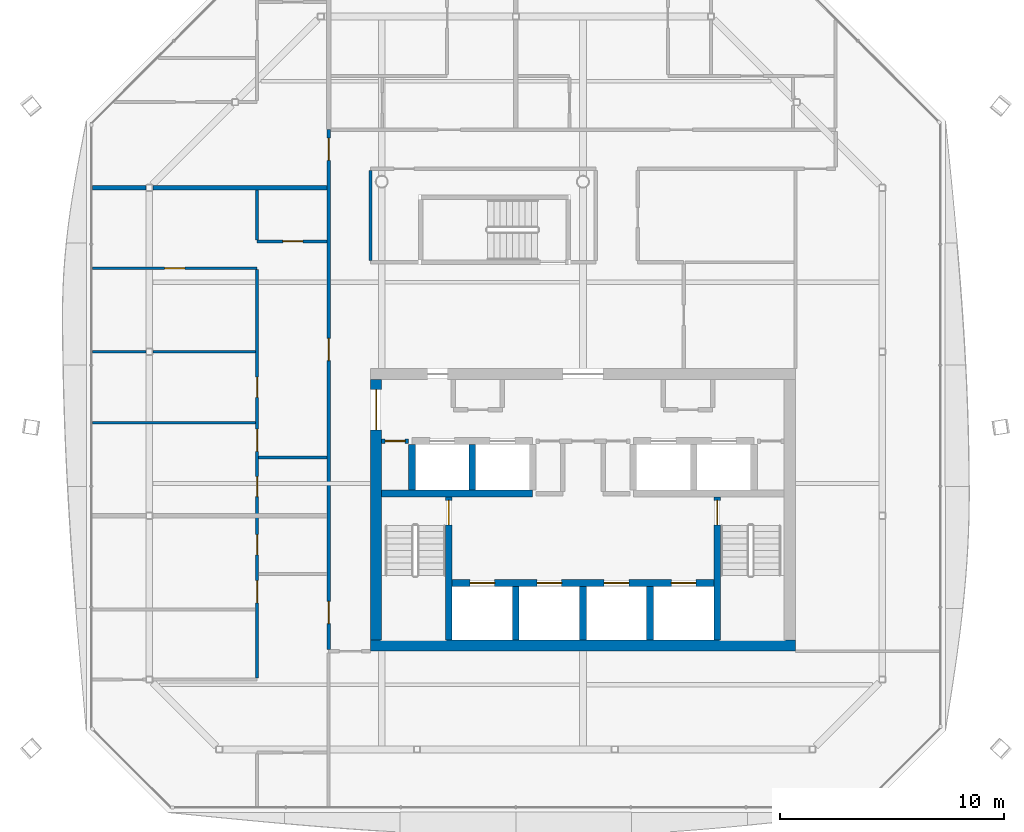
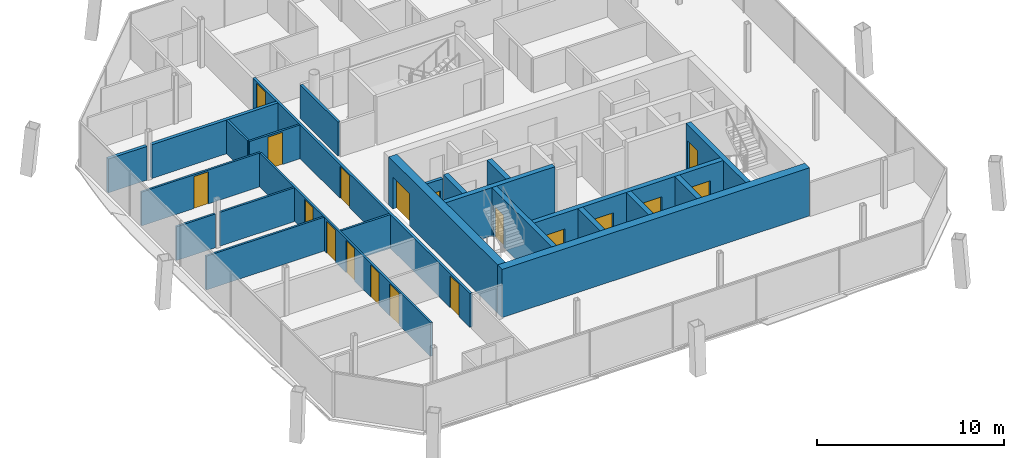
# One storey, part 12 of 18: 24 walls, 18 doors, 18 openings.
"""IFC4 building model written with IfcOpenShell, lengths in metres."""

from ifc_helpers import new_model, si_unit, direction, frame, frame_2d, origin, place, context, subcontext, project, spatial, rectangle, extrude, material, layer, layer_set, type_object, element, fill, save


model = new_model("IFC4")

# Units and contexts
model_context = context("Model", 3, precision=1e-05, world=origin(), true_north=direction((0.0, 1.0)))
body_context = subcontext(model_context, "Body", "Model", "MODEL_VIEW")
ifc_project = project(units=[si_unit("LENGTHUNIT", "METRE"), si_unit("AREAUNIT", "SQUARE_METRE"), si_unit("VOLUMEUNIT", "CUBIC_METRE"), si_unit("PLANEANGLEUNIT", "RADIAN"), si_unit("MASSUNIT", "GRAM", prefix="KILO")], contexts=[model_context])

# Site, building, storey
site_placement = place(None, origin())
site = spatial("IfcSite", under=ifc_project, at=site_placement, CompositionType="ELEMENT")
building_placement = place(site_placement, origin())
building = spatial("IfcBuilding", under=site, at=building_placement, Name="Tskaro Facet Tower", CompositionType="ELEMENT")
storey_placement = place(building_placement, frame((0.0, 0.0, 223.5)))
storey = spatial("IfcBuildingStorey", under=building, at=storey_placement, Name="L57", CompositionType="ELEMENT", Elevation=223.5)

# Wall, openings, doors
ifc_material_1 = material(Name="Concrete C60/75", Category="concrete")
ifc_layer_1 = layer(ifc_material_1, 0.300048828125, Name="Concrete C60/75")
ifc_layer_set_1 = layer_set([ifc_layer_1], Name="Concrete C60/75")
wall_type_1 = type_object("IfcWallType", Name="CORE-SHAFT", PredefinedType="SHEAR", material=ifc_layer_set_1)
wall_1_placement = place(storey_placement, frame((-5.85009765625, -8.949951171875, 0.0), z_axis=(0.0, 0.0, 1.0), x_axis=(1.0, 0.0, 0.0)))
wall_1 = element("IfcWall", 1, at=wall_1_placement, inside=storey, type_object=wall_type_1, Name="Shaft wall W007", PredefinedType="SHEAR", context=body_context, shape_type="SweptSolid", body=[
    extrude(rectangle(XDim=11.7001953125, YDim=0.300048828125, at=frame_2d((5.85009765625, 0.0))), origin(), (0.0, 0.0, 1.0), 3.14990234375),
])
opening_1_placement = place(wall_1_placement, frame((0.800048828125, 0.0, 0.0)))
opening_1 = element("IfcOpeningElement", 2, at=opening_1_placement, cuts=wall_1, Name="Opening LD-FF1", PredefinedType="OPENING", context=body_context, shape_type="SweptSolid", body=[
    extrude(rectangle(XDim=1.10009765625, YDim=2.10009765625, at=frame_2d((0.550048828125, 1.050048828125))), frame((0.0, 0.159912109375, 0.0), z_axis=(0.0, -1.0, 0.0), x_axis=(1.0, 0.0, 0.0)), (0.0, 0.0, 1.0), 0.320068359375),
])
opening_2_placement = place(wall_1_placement, frame((3.800048828125, 0.0, 0.0)))
opening_2 = element("IfcOpeningElement", 3, at=opening_2_placement, cuts=wall_1, Name="Opening LD-FF2", PredefinedType="OPENING", context=body_context, shape_type="SweptSolid", body=[
    extrude(rectangle(XDim=1.10009765625, YDim=2.10009765625, at=frame_2d((0.550048828125, 1.050048828125))), frame((0.0, 0.159912109375, 0.0), z_axis=(0.0, -1.0, 0.0), x_axis=(1.0, 0.0, 0.0)), (0.0, 0.0, 1.0), 0.320068359375),
])
opening_3_placement = place(wall_1_placement, frame((6.800048828125, 0.0, 0.0)))
opening_3 = element("IfcOpeningElement", 4, at=opening_3_placement, cuts=wall_1, Name="Opening LD-SV1", PredefinedType="OPENING", context=body_context, shape_type="SweptSolid", body=[
    extrude(rectangle(XDim=1.10009765625, YDim=2.10009765625, at=frame_2d((0.550048828125, 1.050048828125))), frame((0.0, 0.159912109375, 0.0), z_axis=(0.0, -1.0, 0.0), x_axis=(1.0, 0.0, 0.0)), (0.0, 0.0, 1.0), 0.320068359375),
])
opening_4_placement = place(wall_1_placement, frame((9.800048828125, 0.0, 0.0)))
opening_4 = element("IfcOpeningElement", 5, at=opening_4_placement, cuts=wall_1, Name="Opening LD-SV2", PredefinedType="OPENING", context=body_context, shape_type="SweptSolid", body=[
    extrude(rectangle(XDim=1.10009765625, YDim=2.10009765625, at=frame_2d((0.550048828125, 1.050048828125))), frame((0.0, 0.159912109375, 0.0), z_axis=(0.0, -1.0, 0.0), x_axis=(1.0, 0.0, 0.0)), (0.0, 0.0, 1.0), 0.320068359375),
])
ifc_material_2 = material(Name="Stainless steel", Category="steel")
door_type_1 = type_object("IfcDoorType", Name="D-LANDING", OperationType="NOTDEFINED", PredefinedType="DOOR", material=ifc_material_2)
door_1_placement = place(opening_1_placement, origin())
door_1 = element("IfcDoor", 6, at=door_1_placement, inside=storey, type_object=door_type_1, Name="Landing door FF1", OperationType="DOUBLE_DOOR_SLIDING", OverallHeight=2.10009765625, OverallWidth=1.10009765625, PredefinedType="DOOR", context=body_context, shape_type="SweptSolid", body=[
    extrude(rectangle(XDim=1.10009765625, YDim=2.10009765625, at=frame_2d((0.550048828125, 1.050048828125))), frame((0.0, 0.02490234375, 0.0), z_axis=(0.0, -1.0, 0.0), x_axis=(1.0, 0.0, 0.0)), (0.0, 0.0, 1.0), 0.050048828125),
])
fill(opening_1, door_1)
door_2_placement = place(opening_2_placement, origin())
door_2 = element("IfcDoor", 7, at=door_2_placement, inside=storey, type_object=door_type_1, Name="Landing door FF2", OperationType="DOUBLE_DOOR_SLIDING", OverallHeight=2.10009765625, OverallWidth=1.10009765625, PredefinedType="DOOR", context=body_context, shape_type="SweptSolid", body=[
    extrude(rectangle(XDim=1.10009765625, YDim=2.10009765625, at=frame_2d((0.550048828125, 1.050048828125))), frame((0.0, 0.02490234375, 0.0), z_axis=(0.0, -1.0, 0.0), x_axis=(1.0, 0.0, 0.0)), (0.0, 0.0, 1.0), 0.050048828125),
])
fill(opening_2, door_2)
door_3_placement = place(opening_3_placement, origin())
door_3 = element("IfcDoor", 8, at=door_3_placement, inside=storey, type_object=door_type_1, Name="Landing door SV1", OperationType="DOUBLE_DOOR_SLIDING", OverallHeight=2.10009765625, OverallWidth=1.10009765625, PredefinedType="DOOR", context=body_context, shape_type="SweptSolid", body=[
    extrude(rectangle(XDim=1.10009765625, YDim=2.10009765625, at=frame_2d((0.550048828125, 1.050048828125))), frame((0.0, 0.02490234375, 0.0), z_axis=(0.0, -1.0, 0.0), x_axis=(1.0, 0.0, 0.0)), (0.0, 0.0, 1.0), 0.050048828125),
])
fill(opening_3, door_3)
door_4_placement = place(opening_4_placement, origin())
door_4 = element("IfcDoor", 9, at=door_4_placement, inside=storey, type_object=door_type_1, Name="Landing door SV2", OperationType="DOUBLE_DOOR_SLIDING", OverallHeight=2.10009765625, OverallWidth=1.10009765625, PredefinedType="DOOR", context=body_context, shape_type="SweptSolid", body=[
    extrude(rectangle(XDim=1.10009765625, YDim=2.10009765625, at=frame_2d((0.550048828125, 1.050048828125))), frame((0.0, 0.02490234375, 0.0), z_axis=(0.0, -1.0, 0.0), x_axis=(1.0, 0.0, 0.0)), (0.0, 0.0, 1.0), 0.050048828125),
])
fill(opening_4, door_4)

# Walls
wall_2_placement = place(storey_placement, frame((-9.0, -4.949951171875, 0.0), z_axis=(0.0, 0.0, 1.0), x_axis=(1.0, 0.0, 0.0)))
element("IfcWall", 10, at=wall_2_placement, inside=storey, type_object=wall_type_1, Name="Shaft wall W011", PredefinedType="SHEAR", context=body_context, shape_type="SweptSolid", body=[
    extrude(rectangle(XDim=6.75, YDim=0.300048828125, at=frame_2d((3.375, 0.0))), origin(), (0.0, 0.0, 1.0), 3.14990234375),
])
wall_3_placement = place(storey_placement, frame((-7.64990234375, -4.800048828125, 0.0), z_axis=(0.0, 0.0, 1.0), x_axis=(0.0, 1.0, 0.0)))
element("IfcWall", 11, at=wall_3_placement, inside=storey, type_object=wall_type_1, Name="Shaft wall W055", PredefinedType="SHEAR", context=body_context, shape_type="SweptSolid", body=[
    extrude(rectangle(XDim=2.050048828125, YDim=0.300048828125, at=frame_2d((1.02490234375, 0.0))), origin(), (0.0, 0.0, 1.0), 3.14990234375),
])

# Wall, opening, door
wall_4_placement = place(storey_placement, frame((-6.0, -11.5, 0.0), z_axis=(0.0, 0.0, 1.0), x_axis=(0.0, 1.0, 0.0)))
wall_4 = element("IfcWall", 12, at=wall_4_placement, inside=storey, type_object=wall_type_1, Name="Shaft wall W058", PredefinedType="SHEAR", context=body_context, shape_type="SweptSolid", body=[
    extrude(rectangle(XDim=6.39990234375, YDim=0.300048828125, at=frame_2d((3.199951171875, 0.0))), origin(), (0.0, 0.0, 1.0), 3.14990234375),
])
opening_5_placement = place(wall_4_placement, frame((5.14990234375, 0.0, 0.0)))
opening_5 = element("IfcOpeningElement", 13, at=opening_5_placement, cuts=wall_4, Name="Opening ST-1-D1", PredefinedType="OPENING", context=body_context, shape_type="SweptSolid", body=[
    extrude(rectangle(XDim=1.10009765625, YDim=2.10009765625, at=frame_2d((0.550048828125, 1.050048828125))), frame((0.0, 0.159912109375, 0.0), z_axis=(0.0, -1.0, 0.0), x_axis=(1.0, 0.0, 0.0)), (0.0, 0.0, 1.0), 0.320068359375),
])
ifc_material_3 = material(Name="Steel", Category="steel")
door_type_2 = type_object("IfcDoorType", Name="D-STAIR", OperationType="NOTDEFINED", PredefinedType="DOOR", material=ifc_material_3)
door_5_placement = place(opening_5_placement, origin())
door_5 = element("IfcDoor", 14, at=door_5_placement, inside=storey, type_object=door_type_2, Name="Stair door 1", OperationType="SINGLE_SWING_LEFT", OverallHeight=2.10009765625, OverallWidth=1.10009765625, PredefinedType="DOOR", context=body_context, shape_type="SweptSolid", body=[
    extrude(rectangle(XDim=1.10009765625, YDim=2.10009765625, at=frame_2d((0.550048828125, 1.050048828125))), frame((0.0, 0.02490234375, 0.0), z_axis=(0.0, -1.0, 0.0), x_axis=(1.0, 0.0, 0.0)), (0.0, 0.0, 1.0), 0.050048828125),
])
fill(opening_5, door_5)

# Walls
wall_5_placement = place(storey_placement, frame((-4.949951171875, -4.800048828125, 0.0), z_axis=(0.0, 0.0, 1.0), x_axis=(0.0, 1.0, 0.0)))
element("IfcWall", 15, at=wall_5_placement, inside=storey, type_object=wall_type_1, Name="Shaft wall W060", PredefinedType="SHEAR", context=body_context, shape_type="SweptSolid", body=[
    extrude(rectangle(XDim=2.050048828125, YDim=0.300048828125, at=frame_2d((1.02490234375, 0.0))), origin(), (0.0, 0.0, 1.0), 3.14990234375),
])
for number, where, z_axis, x_axis, name in (
    (16, (-3.0, -11.5, 0.0), (0.0, 0.0, 1.0), (0.0, 1.0, 0.0), "Shaft wall W062"),
    (17, (0.0, -11.5, 0.0), (0.0, 0.0, 1.0), (0.0, 1.0, 0.0), "Shaft wall W069"),
    (18, (3.0, -11.5, 0.0), (0.0, 0.0, 1.0), (0.0, 1.0, 0.0), "Shaft wall W074"),
):
    element("IfcWall", number, at=place(storey_placement, frame(where, z_axis=z_axis, x_axis=x_axis)), inside=storey, type_object=wall_type_1, Name=name, PredefinedType="SHEAR", context=body_context, shape_type="SweptSolid", body=[
        extrude(rectangle(XDim=2.39990234375, YDim=0.300048828125, at=frame_2d((1.199951171875, 0.0))), origin(), (0.0, 0.0, 1.0), 3.14990234375),
    ])

# Wall, opening, door
wall_6_placement = place(storey_placement, frame((6.0, -5.10009765625, 0.0), z_axis=(0.0, 0.0, 1.0), x_axis=(0.0, -1.0, 0.0)))
wall_6 = element("IfcWall", 19, at=wall_6_placement, inside=storey, type_object=wall_type_1, Name="Shaft wall W082", PredefinedType="SHEAR", context=body_context, shape_type="SweptSolid", body=[
    extrude(rectangle(XDim=6.39990234375, YDim=0.300048828125, at=frame_2d((3.199951171875, 0.0))), origin(), (0.0, 0.0, 1.0), 3.14990234375),
])
opening_6_placement = place(wall_6_placement, frame((0.14990234375, 0.0, 0.0)))
opening_6 = element("IfcOpeningElement", 20, at=opening_6_placement, cuts=wall_6, Name="Opening ST-2-D1", PredefinedType="OPENING", context=body_context, shape_type="SweptSolid", body=[
    extrude(rectangle(XDim=1.10009765625, YDim=2.10009765625, at=frame_2d((0.550048828125, 1.050048828125))), frame((0.0, 0.159912109375, 0.0), z_axis=(0.0, -1.0, 0.0), x_axis=(1.0, 0.0, 0.0)), (0.0, 0.0, 1.0), 0.320068359375),
])
door_6_placement = place(opening_6_placement, origin())
door_6 = element("IfcDoor", 21, at=door_6_placement, inside=storey, type_object=door_type_2, Name="Stair door 2", OperationType="SINGLE_SWING_RIGHT", OverallHeight=2.10009765625, OverallWidth=1.10009765625, PredefinedType="DOOR", context=body_context, shape_type="SweptSolid", body=[
    extrude(rectangle(XDim=1.10009765625, YDim=2.10009765625, at=frame_2d((0.550048828125, 1.050048828125))), frame((0.0, 0.02490234375, 0.0), z_axis=(0.0, -1.0, 0.0), x_axis=(1.0, 0.0, 0.0)), (0.0, 0.0, 1.0), 0.050048828125),
])
fill(opening_6, door_6)

ifc_material_4 = material(Name="Concrete C20/25", Category="concrete")
ifc_layer_2 = layer(ifc_material_4, 0.199951171875, Name="Concrete C20/25")
ifc_layer_set_2 = layer_set([ifc_layer_2], Name="Concrete C20/25")
wall_type_2 = type_object("IfcWallType", Name="CORE-WALL", PredefinedType="SOLIDWALL", material=ifc_layer_set_2)
wall_7_placement = place(storey_placement, frame((-7.800048828125, -2.60009765625, 0.0), z_axis=(0.0, 0.0, 1.0), x_axis=(-1.0, 0.0, 0.0)))
wall_7 = element("IfcWall", 22, at=wall_7_placement, inside=storey, type_object=wall_type_2, Name="Core room wall W016", PredefinedType="SOLIDWALL", context=body_context, shape_type="SweptSolid", body=[
    extrude(rectangle(XDim=1.199951171875, YDim=0.199951171875, at=frame_2d((0.60009765625, 0.0))), origin(), (0.0, 0.0, 1.0), 2.85009765625),
])
opening_7_placement = place(wall_7_placement, frame((0.14990234375, 0.0, 0.0)))
opening_7 = element("IfcOpeningElement", 23, at=opening_7_placement, cuts=wall_7, Name="Opening T16-D08", PredefinedType="OPENING", context=body_context, shape_type="SweptSolid", body=[
    extrude(rectangle(XDim=0.89990234375, YDim=2.10009765625, at=frame_2d((0.449951171875, 1.050048828125))), frame((0.0, 0.10986328125, 0.0), z_axis=(0.0, -1.0, 0.0), x_axis=(1.0, 0.0, 0.0)), (0.0, 0.0, 1.0), 0.219970703125),
])
ifc_material_5 = material(Name="Timber", Category="wood")
door_type_3 = type_object("IfcDoorType", Name="D-ROOM", OperationType="NOTDEFINED", PredefinedType="DOOR", material=ifc_material_5)
door_7_placement = place(opening_7_placement, origin())
door_7 = element("IfcDoor", 24, at=door_7_placement, inside=storey, type_object=door_type_3, Name="Door T16-D08", OperationType="SINGLE_SWING_RIGHT", OverallHeight=2.10009765625, OverallWidth=0.89990234375, PredefinedType="DOOR", context=body_context, shape_type="SweptSolid", body=[
    extrude(rectangle(XDim=0.89990234375, YDim=2.10009765625, at=frame_2d((0.449951171875, 1.050048828125))), frame((0.0, 0.02490234375, 0.0), z_axis=(0.0, -1.0, 0.0), x_axis=(1.0, 0.0, 0.0)), (0.0, 0.0, 1.0), 0.050048828125),
])
fill(opening_7, door_7)

# Wall
ifc_material_6 = material(Name="Concrete C40/50", Category="concrete")
ifc_layer_3 = layer(ifc_material_6, 0.5, Name="Concrete C40/50")
ifc_layer_set_3 = layer_set([ifc_layer_3], Name="Concrete C40/50")
wall_type_3 = type_object("IfcWallType", Name="Core wall 500", PredefinedType="SHEAR", material=ifc_layer_set_3)
wall_8_placement = place(storey_placement, frame((-9.5, -11.75, 0.0), z_axis=(0.0, 0.0, 1.0), x_axis=(1.0, 0.0, 0.0)))
element("IfcWall", 25, at=wall_8_placement, inside=storey, type_object=wall_type_3, Name="Core wall CW-Z3S", PredefinedType="SHEAR", context=body_context, shape_type="SweptSolid", body=[
    extrude(rectangle(XDim=19.0, YDim=0.5, at=frame_2d((9.5, 0.0))), origin(), (0.0, 0.0, 1.0), 3.14990234375),
])

# Wall, opening, door
wall_9_placement = place(storey_placement, frame((-9.25, -11.5, 0.0), z_axis=(0.0, 0.0, 1.0), x_axis=(0.0, 1.0, 0.0)))
wall_9 = element("IfcWall", 26, at=wall_9_placement, inside=storey, type_object=wall_type_3, Name="Core wall CW-Z3W", PredefinedType="SHEAR", context=body_context, shape_type="SweptSolid", body=[
    extrude(rectangle(XDim=11.64990234375, YDim=0.5, at=frame_2d((5.824951171875, 0.0))), origin(), (0.0, 0.0, 1.0), 3.14990234375),
])
opening_8_placement = place(wall_9_placement, frame((9.39990234375, 0.0, 0.0)))
opening_8 = element("IfcOpeningElement", 27, at=opening_8_placement, cuts=wall_9, Name="Opening T16-D13", PredefinedType="OPENING", context=body_context, shape_type="SweptSolid", body=[
    extrude(rectangle(XDim=1.800048828125, YDim=2.10009765625, at=frame_2d((0.89990234375, 1.050048828125))), frame((0.0, 0.260009765625, 0.0), z_axis=(0.0, -1.0, 0.0), x_axis=(1.0, 0.0, 0.0)), (0.0, 0.0, 1.0), 0.52001953125),
])
door_type_4 = type_object("IfcDoorType", Name="D-CORE-PAIR", OperationType="NOTDEFINED", PredefinedType="DOOR", material=ifc_material_3)
door_8_placement = place(opening_8_placement, origin())
door_8 = element("IfcDoor", 28, at=door_8_placement, inside=storey, type_object=door_type_4, Name="Door T16-D13", OperationType="DOUBLE_DOOR_SINGLE_SWING", OverallHeight=2.10009765625, OverallWidth=1.800048828125, PredefinedType="DOOR", context=body_context, shape_type="SweptSolid", body=[
    extrude(rectangle(XDim=1.800048828125, YDim=2.10009765625, at=frame_2d((0.89990234375, 1.050048828125))), frame((0.0, 0.02490234375, 0.0), z_axis=(0.0, -1.0, 0.0), x_axis=(1.0, 0.0, 0.0)), (0.0, 0.0, 1.0), 0.050048828125),
])
fill(opening_8, door_8)

# Walls
ifc_material_7 = material(Name="Gypsum board on steel studs", Category="steel")
ifc_layer_4 = layer(ifc_material_7, 0.125, Name="Gypsum board on steel studs")
ifc_layer_set_4 = layer_set([ifc_layer_4], Name="Gypsum board on steel studs")
wall_type_4 = type_object("IfcWallType", Name="PART", PredefinedType="PARTITIONING", material=ifc_layer_set_4)
wall_10_placement = place(storey_placement, frame((-14.512451171875, -3.340087890625, 0.0), z_axis=(0.0, 0.0, 1.0), x_axis=(1.0, 0.0, 0.0)))
element("IfcWall", 29, at=wall_10_placement, inside=storey, type_object=wall_type_4, Name="Partition W015", PredefinedType="PARTITIONING", context=body_context, shape_type="SweptSolid", body=[
    extrude(rectangle(XDim=3.0625, YDim=0.125, at=frame_2d((1.53125, 0.0))), origin(), (0.0, 0.0, 1.0), 2.2099609375),
])
wall_11_placement = place(storey_placement, frame((-21.93505859375, -1.784912109375, 0.0), z_axis=(0.0, 0.0, 1.0), x_axis=(1.0, 0.0, 0.0)))
element("IfcWall", 30, at=wall_11_placement, inside=storey, type_object=wall_type_4, Name="Partition W021", PredefinedType="PARTITIONING", context=body_context, shape_type="SweptSolid", body=[
    extrude(rectangle(XDim=7.297607421875, YDim=0.125, at=frame_2d((3.64892578125, 0.0))), origin(), (0.0, 0.0, 1.0), 2.2099609375),
])
wall_12_placement = place(storey_placement, frame((-21.93505859375, 1.39501953125, 0.0), z_axis=(0.0, 0.0, 1.0), x_axis=(1.0, 0.0, 0.0)))
element("IfcWall", 31, at=wall_12_placement, inside=storey, type_object=wall_type_4, Name="Partition W024", PredefinedType="PARTITIONING", context=body_context, shape_type="SweptSolid", body=[
    extrude(rectangle(XDim=2.39404296875, YDim=0.125, at=frame_2d((1.197021484375, 0.0))), origin(), (0.0, 0.0, 1.0), 2.2099609375),
])
wall_13_placement = place(storey_placement, frame((-19.240966796875, 1.39501953125, 0.0), z_axis=(0.0, 0.0, 1.0), x_axis=(1.0, 0.0, 0.0)))
element("IfcWall", 32, at=wall_13_placement, inside=storey, type_object=wall_type_4, Name="Partition W025", PredefinedType="PARTITIONING", context=body_context, shape_type="SweptSolid", body=[
    extrude(rectangle(XDim=4.603515625, YDim=0.125, at=frame_2d((2.3017578125, 0.0))), origin(), (0.0, 0.0, 1.0), 2.2099609375),
])

# Wall, opening, door
wall_14_placement = place(storey_placement, frame((-14.574951171875, 5.1298828125, 0.0), z_axis=(0.0, 0.0, 1.0), x_axis=(-1.0, 0.0, 0.0)))
wall_14 = element("IfcWall", 33, at=wall_14_placement, inside=storey, type_object=wall_type_4, Name="Partition W026", PredefinedType="PARTITIONING", context=body_context, shape_type="SweptSolid", body=[
    extrude(rectangle(XDim=7.360107421875, YDim=0.125, at=frame_2d((3.68017578125, 0.0))), origin(), (0.0, 0.0, 1.0), 2.2099609375),
])
opening_9_placement = place(wall_14_placement, frame((3.22998046875, 0.0, 0.0)))
opening_9 = element("IfcOpeningElement", 34, at=opening_9_placement, cuts=wall_14, Name="Opening T16-D21", PredefinedType="OPENING", context=body_context, shape_type="SweptSolid", body=[
    extrude(rectangle(XDim=0.89990234375, YDim=2.10009765625, at=frame_2d((0.449951171875, 1.050048828125))), frame((0.0, 0.072509765625, 0.0), z_axis=(0.0, -1.0, 0.0), x_axis=(1.0, 0.0, 0.0)), (0.0, 0.0, 1.0), 0.14501953125),
])
door_9_placement = place(opening_9_placement, origin())
door_9 = element("IfcDoor", 35, at=door_9_placement, inside=storey, type_object=door_type_3, Name="Door T16-D21", OperationType="SINGLE_SWING_RIGHT", OverallHeight=2.10009765625, OverallWidth=0.89990234375, PredefinedType="DOOR", context=body_context, shape_type="SweptSolid", body=[
    extrude(rectangle(XDim=0.89990234375, YDim=2.10009765625, at=frame_2d((0.449951171875, 1.050048828125))), frame((0.0, 0.02490234375, 0.0), z_axis=(0.0, -1.0, 0.0), x_axis=(1.0, 0.0, 0.0)), (0.0, 0.0, 1.0), 0.050048828125),
])
fill(opening_9, door_9)

wall_15_placement = place(storey_placement, frame((-14.574951171875, 6.330078125, 0.0), z_axis=(0.0, 0.0, 1.0), x_axis=(1.0, 0.0, 0.0)))
wall_15 = element("IfcWall", 36, at=wall_15_placement, inside=storey, type_object=wall_type_4, Name="Partition W032", PredefinedType="PARTITIONING", context=body_context, shape_type="SweptSolid", body=[
    extrude(rectangle(XDim=3.125, YDim=0.125, at=frame_2d((1.5625, 0.0))), origin(), (0.0, 0.0, 1.0), 2.2099609375),
])
opening_10_placement = place(wall_15_placement, frame((1.14990234375, 0.0, 0.0)))
opening_10 = element("IfcOpeningElement", 37, at=opening_10_placement, cuts=wall_15, Name="Opening T16-D22", PredefinedType="OPENING", context=body_context, shape_type="SweptSolid", body=[
    extrude(rectangle(XDim=0.89990234375, YDim=2.10009765625, at=frame_2d((0.449951171875, 1.050048828125))), frame((0.0, 0.072509765625, 0.0), z_axis=(0.0, -1.0, 0.0), x_axis=(1.0, 0.0, 0.0)), (0.0, 0.0, 1.0), 0.14501953125),
])
door_10_placement = place(opening_10_placement, origin())
door_10 = element("IfcDoor", 38, at=door_10_placement, inside=storey, type_object=door_type_3, Name="Door T16-D22", OperationType="SINGLE_SWING_LEFT", OverallHeight=2.10009765625, OverallWidth=0.89990234375, PredefinedType="DOOR", context=body_context, shape_type="SweptSolid", body=[
    extrude(rectangle(XDim=0.89990234375, YDim=2.10009765625, at=frame_2d((0.449951171875, 1.050048828125))), frame((0.0, 0.02490234375, 0.0), z_axis=(0.0, -1.0, 0.0), x_axis=(1.0, 0.0, 0.0)), (0.0, 0.0, 1.0), 0.050048828125),
])
fill(opening_10, door_10)

# Wall, openings, doors
wall_16_placement = place(storey_placement, frame((-14.574951171875, -13.20751953125, 0.0), z_axis=(0.0, 0.0, 1.0), x_axis=(0.0, 1.0, 0.0)))
wall_16 = element("IfcWall", 39, at=wall_16_placement, inside=storey, type_object=wall_type_4, Name="Partition W047", PredefinedType="PARTITIONING", context=body_context, shape_type="SweptSolid", body=[
    extrude(rectangle(XDim=18.27490234375, YDim=0.125, at=frame_2d((9.137451171875, 0.0))), origin(), (0.0, 0.0, 1.0), 2.2099609375),
])
opening_11_placement = place(wall_16_placement, frame((3.367431640625, 0.0, 0.0)))
opening_11 = element("IfcOpeningElement", 40, at=opening_11_placement, cuts=wall_16, Name="Opening T16-D05", PredefinedType="OPENING", context=body_context, shape_type="SweptSolid", body=[
    extrude(rectangle(XDim=1.0, YDim=2.10009765625, at=frame_2d((0.5, 1.050048828125))), frame((0.0, 0.072509765625, 0.0), z_axis=(0.0, -1.0, 0.0), x_axis=(1.0, 0.0, 0.0)), (0.0, 0.0, 1.0), 0.14501953125),
])
opening_12_placement = place(wall_16_placement, frame((5.517578125, 0.0, 0.0)))
opening_12 = element("IfcOpeningElement", 41, at=opening_12_placement, cuts=wall_16, Name="Opening T16-D06", PredefinedType="OPENING", context=body_context, shape_type="SweptSolid", body=[
    extrude(rectangle(XDim=0.89990234375, YDim=2.10009765625, at=frame_2d((0.449951171875, 1.050048828125))), frame((0.0, 0.072509765625, 0.0), z_axis=(0.0, -1.0, 0.0), x_axis=(1.0, 0.0, 0.0)), (0.0, 0.0, 1.0), 0.14501953125),
])
opening_13_placement = place(wall_16_placement, frame((12.5625, 0.0, 0.0)))
opening_13 = element("IfcOpeningElement", 42, at=opening_13_placement, cuts=wall_16, Name="Opening T16-D16", PredefinedType="OPENING", context=body_context, shape_type="SweptSolid", body=[
    extrude(rectangle(XDim=0.89990234375, YDim=2.10009765625, at=frame_2d((0.449951171875, 1.050048828125))), frame((0.0, 0.072509765625, 0.0), z_axis=(0.0, -1.0, 0.0), x_axis=(1.0, 0.0, 0.0)), (0.0, 0.0, 1.0), 0.14501953125),
])
opening_14_placement = place(wall_16_placement, frame((10.14501953125, 0.0, 0.0)))
opening_14 = element("IfcOpeningElement", 43, at=opening_14_placement, cuts=wall_16, Name="Opening T16-D12", PredefinedType="OPENING", context=body_context, shape_type="SweptSolid", body=[
    extrude(rectangle(XDim=1.0, YDim=2.10009765625, at=frame_2d((0.5, 1.050048828125))), frame((0.0, 0.072509765625, 0.0), z_axis=(0.0, -1.0, 0.0), x_axis=(1.0, 0.0, 0.0)), (0.0, 0.0, 1.0), 0.14501953125),
])
opening_15_placement = place(wall_16_placement, frame((8.117431640625, 0.0, 0.0)))
opening_15 = element("IfcOpeningElement", 44, at=opening_15_placement, cuts=wall_16, Name="Opening T16-D07", PredefinedType="OPENING", context=body_context, shape_type="SweptSolid", body=[
    extrude(rectangle(XDim=0.89990234375, YDim=2.10009765625, at=frame_2d((0.449951171875, 1.050048828125))), frame((0.0, 0.072509765625, 0.0), z_axis=(0.0, -1.0, 0.0), x_axis=(1.0, 0.0, 0.0)), (0.0, 0.0, 1.0), 0.14501953125),
])
door_11_placement = place(opening_12_placement, origin())
door_11 = element("IfcDoor", 45, at=door_11_placement, inside=storey, type_object=door_type_3, Name="Door T16-D06", OperationType="SINGLE_SWING_LEFT", OverallHeight=2.10009765625, OverallWidth=0.89990234375, PredefinedType="DOOR", context=body_context, shape_type="SweptSolid", body=[
    extrude(rectangle(XDim=0.89990234375, YDim=2.10009765625, at=frame_2d((0.449951171875, 1.050048828125))), frame((0.0, 0.02490234375, 0.0), z_axis=(0.0, -1.0, 0.0), x_axis=(1.0, 0.0, 0.0)), (0.0, 0.0, 1.0), 0.050048828125),
])
fill(opening_12, door_11)
door_12_placement = place(opening_13_placement, origin())
door_12 = element("IfcDoor", 46, at=door_12_placement, inside=storey, type_object=door_type_3, Name="Door T16-D16", OperationType="SINGLE_SWING_LEFT", OverallHeight=2.10009765625, OverallWidth=0.89990234375, PredefinedType="DOOR", context=body_context, shape_type="SweptSolid", body=[
    extrude(rectangle(XDim=0.89990234375, YDim=2.10009765625, at=frame_2d((0.449951171875, 1.050048828125))), frame((0.0, 0.02490234375, 0.0), z_axis=(0.0, -1.0, 0.0), x_axis=(1.0, 0.0, 0.0)), (0.0, 0.0, 1.0), 0.050048828125),
])
fill(opening_13, door_12)
door_13_placement = place(opening_15_placement, origin())
door_13 = element("IfcDoor", 47, at=door_13_placement, inside=storey, type_object=door_type_3, Name="Door T16-D07", OperationType="SINGLE_SWING_LEFT", OverallHeight=2.10009765625, OverallWidth=0.89990234375, PredefinedType="DOOR", context=body_context, shape_type="SweptSolid", body=[
    extrude(rectangle(XDim=0.89990234375, YDim=2.10009765625, at=frame_2d((0.449951171875, 1.050048828125))), frame((0.0, 0.02490234375, 0.0), z_axis=(0.0, -1.0, 0.0), x_axis=(1.0, 0.0, 0.0)), (0.0, 0.0, 1.0), 0.050048828125),
])
fill(opening_15, door_13)
door_type_5 = type_object("IfcDoorType", Name="D-ROOM-WIDE", OperationType="NOTDEFINED", PredefinedType="DOOR", material=ifc_material_5)
door_14_placement = place(opening_11_placement, origin())
door_14 = element("IfcDoor", 48, at=door_14_placement, inside=storey, type_object=door_type_5, Name="Door T16-D05", OperationType="SINGLE_SWING_LEFT", OverallHeight=2.10009765625, OverallWidth=1.0, PredefinedType="DOOR", context=body_context, shape_type="SweptSolid", body=[
    extrude(rectangle(XDim=1.0, YDim=2.10009765625, at=frame_2d((0.5, 1.050048828125))), frame((0.0, 0.02490234375, 0.0), z_axis=(0.0, -1.0, 0.0), x_axis=(1.0, 0.0, 0.0)), (0.0, 0.0, 1.0), 0.050048828125),
])
fill(opening_11, door_14)
door_15_placement = place(opening_14_placement, origin())
door_15 = element("IfcDoor", 49, at=door_15_placement, inside=storey, type_object=door_type_5, Name="Door T16-D12", OperationType="SINGLE_SWING_LEFT", OverallHeight=2.10009765625, OverallWidth=1.0, PredefinedType="DOOR", context=body_context, shape_type="SweptSolid", body=[
    extrude(rectangle(XDim=1.0, YDim=2.10009765625, at=frame_2d((0.5, 1.050048828125))), frame((0.0, 0.02490234375, 0.0), z_axis=(0.0, -1.0, 0.0), x_axis=(1.0, 0.0, 0.0)), (0.0, 0.0, 1.0), 0.050048828125),
])
fill(opening_14, door_15)

# Wall
wall_17_placement = place(storey_placement, frame((-14.574951171875, 6.392578125, 0.0), z_axis=(0.0, 0.0, 1.0), x_axis=(0.0, 1.0, 0.0)))
element("IfcWall", 50, at=wall_17_placement, inside=storey, type_object=wall_type_4, Name="Partition W048", PredefinedType="PARTITIONING", context=body_context, shape_type="SweptSolid", body=[
    extrude(rectangle(XDim=2.2373046875, YDim=0.125, at=frame_2d((1.11865234375, 0.0))), origin(), (0.0, 0.0, 1.0), 2.2099609375),
])

# Wall, openings, doors
ifc_layer_5 = layer(ifc_material_7, 0.14990234375, Name="Gypsum board on steel studs")
ifc_layer_set_5 = layer_set([ifc_layer_5], Name="Gypsum board on steel studs")
wall_type_5 = type_object("IfcWallType", Name="PART-CORR", PredefinedType="PARTITIONING", material=ifc_layer_set_5)
wall_18_placement = place(storey_placement, frame((-11.375, -11.925048828125, 0.0), z_axis=(0.0, 0.0, 1.0), x_axis=(0.0, 1.0, 0.0)))
wall_18 = element("IfcWall", 51, at=wall_18_placement, inside=storey, type_object=wall_type_5, Name="Corridor wall W051", PredefinedType="PARTITIONING", context=body_context, shape_type="SweptSolid", body=[
    extrude(rectangle(XDim=23.25, YDim=0.14990234375, at=frame_2d((11.625, 0.0))), origin(), (0.0, 0.0, 1.0), 2.2099609375),
])
opening_16_placement = place(wall_18_placement, frame((1.155029296875, 0.0, 0.0)))
opening_16 = element("IfcOpeningElement", 52, at=opening_16_placement, cuts=wall_18, Name="Opening T16-D04", PredefinedType="OPENING", context=body_context, shape_type="SweptSolid", body=[
    extrude(rectangle(XDim=1.0, YDim=2.10009765625, at=frame_2d((0.5, 1.050048828125))), frame((0.0, 0.0849609375, 0.0), z_axis=(0.0, -1.0, 0.0), x_axis=(1.0, 0.0, 0.0)), (0.0, 0.0, 1.0), 0.169921875),
])
opening_17_placement = place(wall_18_placement, frame((12.919921875, 0.0, 0.0)))
opening_17 = element("IfcOpeningElement", 53, at=opening_17_placement, cuts=wall_18, Name="Opening T16-D19", PredefinedType="OPENING", context=body_context, shape_type="SweptSolid", body=[
    extrude(rectangle(XDim=1.0, YDim=2.10009765625, at=frame_2d((0.5, 1.050048828125))), frame((0.0, 0.0849609375, 0.0), z_axis=(0.0, -1.0, 0.0), x_axis=(1.0, 0.0, 0.0)), (0.0, 0.0, 1.0), 0.169921875),
])
opening_18_placement = place(wall_18_placement, frame((21.875, 0.0, 0.0)))
opening_18 = element("IfcOpeningElement", 54, at=opening_18_placement, cuts=wall_18, Name="Opening T16-D26", PredefinedType="OPENING", context=body_context, shape_type="SweptSolid", body=[
    extrude(rectangle(XDim=1.0, YDim=2.10009765625, at=frame_2d((0.5, 1.050048828125))), frame((0.0, 0.0849609375, 0.0), z_axis=(0.0, -1.0, 0.0), x_axis=(1.0, 0.0, 0.0)), (0.0, 0.0, 1.0), 0.169921875),
])
door_type_6 = type_object("IfcDoorType", Name="D-FLAT-ENTRY", OperationType="NOTDEFINED", PredefinedType="DOOR", material=ifc_material_5)
door_16_placement = place(opening_16_placement, origin())
door_16 = element("IfcDoor", 55, at=door_16_placement, inside=storey, type_object=door_type_6, Name="Door T16-D04", OperationType="SINGLE_SWING_LEFT", OverallHeight=2.10009765625, OverallWidth=1.0, PredefinedType="DOOR", context=body_context, shape_type="SweptSolid", body=[
    extrude(rectangle(XDim=1.0, YDim=2.10009765625, at=frame_2d((0.5, 1.050048828125))), frame((0.0, 0.02490234375, 0.0), z_axis=(0.0, -1.0, 0.0), x_axis=(1.0, 0.0, 0.0)), (0.0, 0.0, 1.0), 0.050048828125),
])
fill(opening_16, door_16)
door_17_placement = place(opening_17_placement, origin())
door_17 = element("IfcDoor", 56, at=door_17_placement, inside=storey, type_object=door_type_6, Name="Door T16-D19", OperationType="SINGLE_SWING_LEFT", OverallHeight=2.10009765625, OverallWidth=1.0, PredefinedType="DOOR", context=body_context, shape_type="SweptSolid", body=[
    extrude(rectangle(XDim=1.0, YDim=2.10009765625, at=frame_2d((0.5, 1.050048828125))), frame((0.0, 0.02490234375, 0.0), z_axis=(0.0, -1.0, 0.0), x_axis=(1.0, 0.0, 0.0)), (0.0, 0.0, 1.0), 0.050048828125),
])
fill(opening_17, door_17)
door_18_placement = place(opening_18_placement, origin())
door_18 = element("IfcDoor", 57, at=door_18_placement, inside=storey, type_object=door_type_6, Name="Door T16-D26", OperationType="SINGLE_SWING_LEFT", OverallHeight=2.10009765625, OverallWidth=1.0, PredefinedType="DOOR", context=body_context, shape_type="SweptSolid", body=[
    extrude(rectangle(XDim=1.0, YDim=2.10009765625, at=frame_2d((0.5, 1.050048828125))), frame((0.0, 0.02490234375, 0.0), z_axis=(0.0, -1.0, 0.0), x_axis=(1.0, 0.0, 0.0)), (0.0, 0.0, 1.0), 0.050048828125),
])
fill(opening_18, door_18)

# Walls
wall_19_placement = place(storey_placement, frame((-9.5, 5.47509765625, 0.0), z_axis=(0.0, 0.0, 1.0), x_axis=(0.0, 1.0, 0.0)))
element("IfcWall", 58, at=wall_19_placement, inside=storey, type_object=wall_type_5, Name="Corridor wall W053", PredefinedType="PARTITIONING", context=body_context, shape_type="SweptSolid", body=[
    extrude(rectangle(XDim=4.02490234375, YDim=0.14990234375, at=frame_2d((2.012451171875, 0.0))), origin(), (0.0, 0.0, 1.0), 2.2099609375),
])
ifc_layer_6 = layer(ifc_material_7, 0.199951171875, Name="Gypsum board on steel studs")
ifc_layer_set_6 = layer_set([ifc_layer_6], Name="Gypsum board on steel studs")
wall_type_6 = type_object("IfcWallType", Name="PART-DEMISING", PredefinedType="PARTITIONING", material=ifc_layer_set_6)
wall_20_placement = place(storey_placement, frame((-21.93505859375, 8.72998046875, 0.0), z_axis=(0.0, 0.0, 1.0), x_axis=(1.0, 0.0, 0.0)))
element("IfcWall", 59, at=wall_20_placement, inside=storey, type_object=wall_type_6, Name="Guest room wall W034", PredefinedType="PARTITIONING", context=body_context, shape_type="SweptSolid", body=[
    extrude(rectangle(XDim=2.39404296875, YDim=0.199951171875, at=frame_2d((1.197021484375, 0.0))), origin(), (0.0, 0.0, 1.0), 2.2099609375),
])
wall_21_placement = place(storey_placement, frame((-19.240966796875, 8.72998046875, 0.0), z_axis=(0.0, 0.0, 1.0), x_axis=(1.0, 0.0, 0.0)))
element("IfcWall", 60, at=wall_21_placement, inside=storey, type_object=wall_type_6, Name="Guest room wall W035", PredefinedType="PARTITIONING", context=body_context, shape_type="SweptSolid", body=[
    extrude(rectangle(XDim=7.791015625, YDim=0.199951171875, at=frame_2d((3.8955078125, 0.0))), origin(), (0.0, 0.0, 1.0), 2.2099609375),
])

save(model, "model.ifc")
